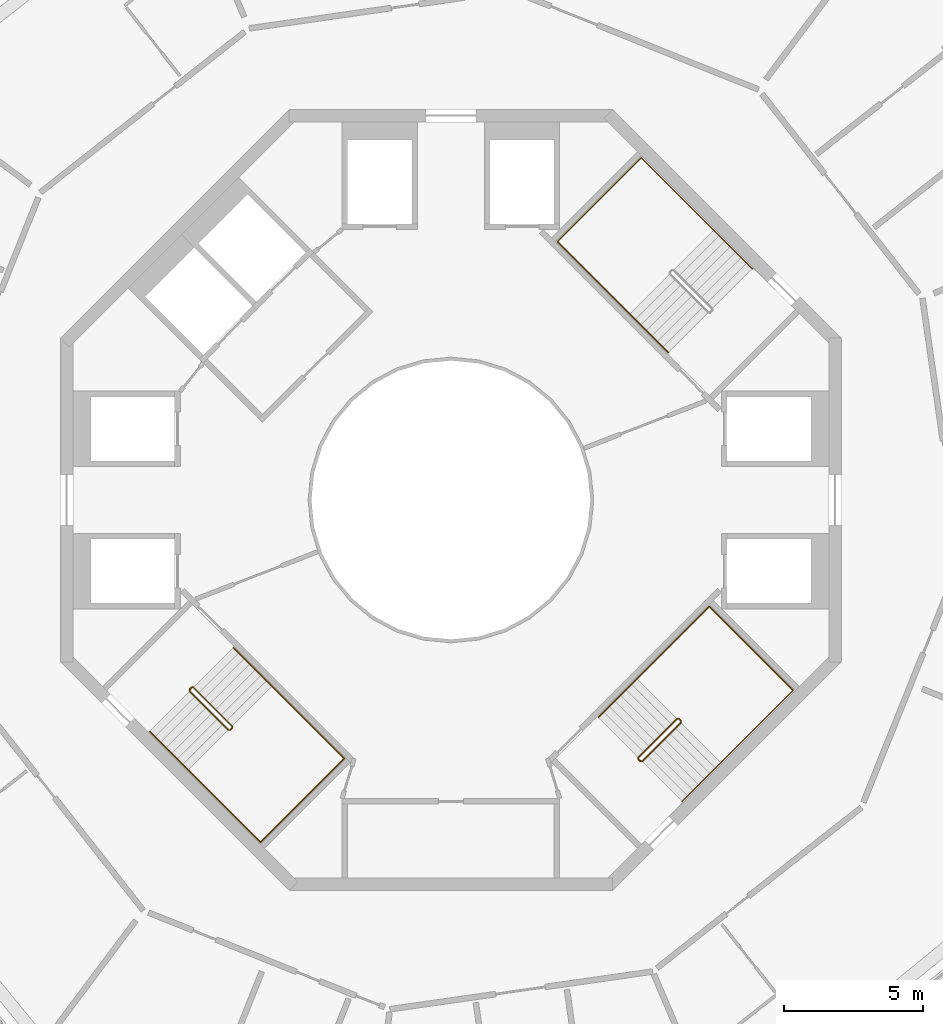
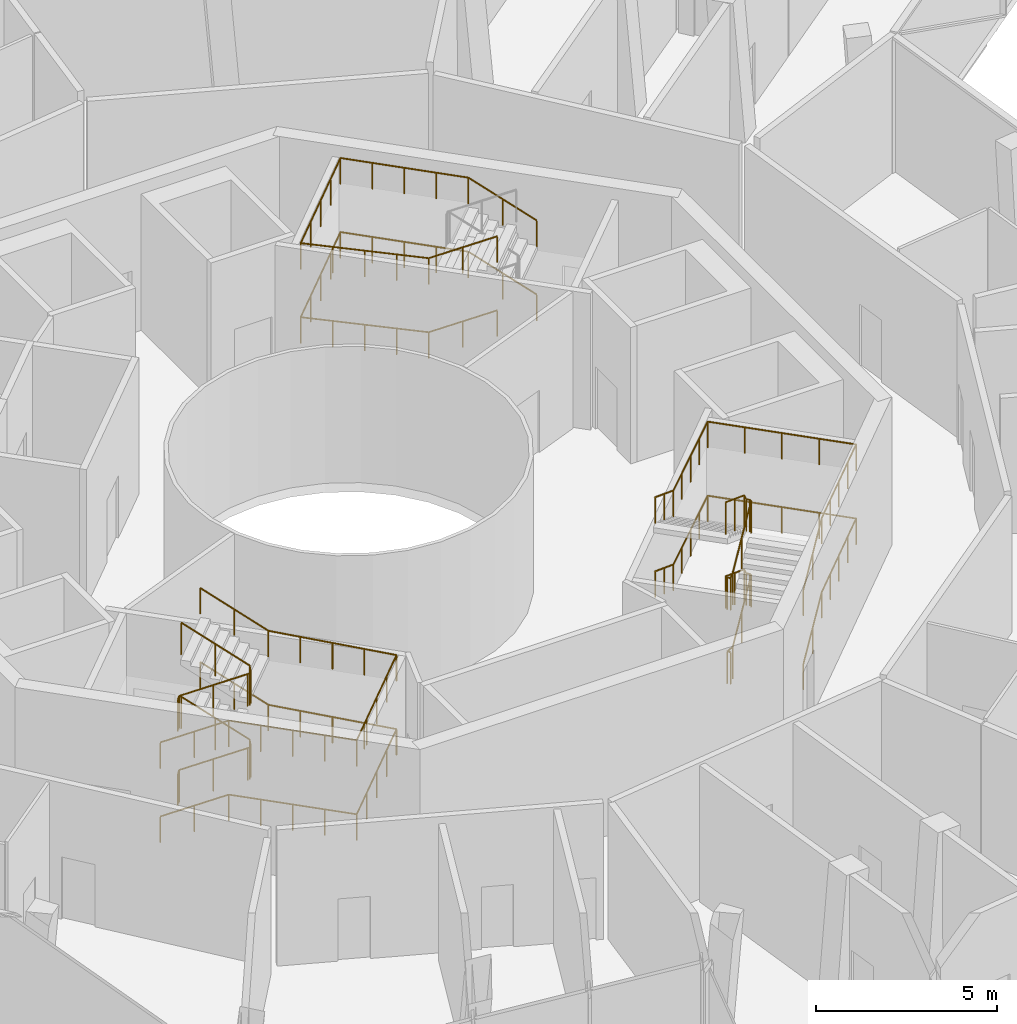
# One storey, part 18 of 19: 8 railings.
"""IFC4 building model written with IfcOpenShell, lengths in metres."""

from ifc_helpers import new_model, si_unit, direction, frame, origin, origin_2d, place, context, subcontext, project, spatial, circle, extrude, material, type_object, element, save


model = new_model("IFC4")

# Units and contexts
model_context = context("Model", 3, precision=1e-05, world=origin(), true_north=direction((0.0, 1.0)))
body_context = subcontext(model_context, "Body", "Model", "MODEL_VIEW")
ifc_project = project(units=[si_unit("LENGTHUNIT", "METRE"), si_unit("AREAUNIT", "SQUARE_METRE"), si_unit("VOLUMEUNIT", "CUBIC_METRE"), si_unit("PLANEANGLEUNIT", "RADIAN"), si_unit("MASSUNIT", "GRAM", prefix="KILO")], contexts=[model_context])

# Site, building, storey
site_placement = place(None, origin())
site = spatial("IfcSite", under=ifc_project, at=site_placement, CompositionType="ELEMENT")
building_placement = place(site_placement, origin())
building = spatial("IfcBuilding", under=site, at=building_placement, Name="Verdalira Terraces Hotel", CompositionType="ELEMENT")
storey_placement = place(building_placement, frame((0.0, 0.0, 310.0)))
storey = spatial("IfcBuildingStorey", under=building, at=storey_placement, Name="L77", CompositionType="ELEMENT", Elevation=310.0)

# Railings
ifc_material_1 = material(Name="Stainless steel", Category="steel")
railing_type_1 = type_object("IfcRailingType", Name="Stair guard 1100", PredefinedType="GUARDRAIL", material=ifc_material_1)
railing_1_placement = place(storey_placement, frame((-9.369141, -6.78833, 0.0)))
element("IfcRailing", 1, at=railing_1_placement, inside=storey, type_object=railing_type_1, Name="L77 ST2 stair guard 1", PredefinedType="GUARDRAIL", context=body_context, shape_type="SweptSolid", body=[
    extrude(circle(Radius=0.023926, at=origin_2d()), frame((0.0, 0.0, 1.076172), z_axis=(0.707106781, 0.707106781, 0.0), x_axis=(-0.707106781, 0.707106781, 0.0)), (0.0, 0.0, 1.0), 0.100098),
    extrude(circle(Radius=0.023926, at=origin_2d()), frame((0.070801, 0.070801, 1.076172), z_axis=(-0.318519619, -0.635940894, 0.702939849), x_axis=(0.894118129, -0.447831187, 0.0)), (0.0, 0.0, 1.0), 0.222168),
    extrude(circle(Radius=0.023926, at=origin_2d()), frame((0.0, -0.070557, 1.232422), z_axis=(0.61747733, -0.61747733, 0.48728174), x_axis=(0.707106781, 0.707106781, 0.0)), (0.0, 0.0, 1.0), 2.244629),
    extrude(circle(Radius=0.023926, at=origin_2d()), frame((1.385986, -1.456543, 2.326172), z_axis=(1.0, 0.0, 0.0), x_axis=(0.0, 1.0, 0.0)), (0.0, 0.0, 1.0), 0.070557),
    extrude(circle(Radius=0.023926, at=origin_2d()), frame((1.456543, -1.456543, 2.326172), z_axis=(0.707106781, 0.707106781, 0.0), x_axis=(-0.707106781, 0.707106781, 0.0)), (0.0, 0.0, 1.0), 0.100098),
    extrude(circle(Radius=0.023926, at=origin_2d()), frame((1.527344, -1.385742, 2.326172), z_axis=(0.0, 0.411548567, 0.91138783), x_axis=(-1.0, 0.0, 0.0)), (0.0, 0.0, 1.0), 0.171387),
    extrude(circle(Radius=0.023926, at=origin_2d()), frame((1.527344, -1.315186, 2.482422), z_axis=(-0.61747733, 0.61747733, 0.48728174), x_axis=(-0.707106781, -0.707106781, 0.0)), (0.0, 0.0, 1.0), 2.244629),
    extrude(circle(Radius=0.023926, at=origin_2d()), frame((0.141357, 0.070801, 3.576172), z_axis=(-1.0, 0.0, 0.0), x_axis=(0.0, -1.0, 0.0)), (0.0, 0.0, 1.0), 0.070557),
    extrude(circle(Radius=0.023926, at=origin_2d()), frame((0.070801, 0.070801, 3.576172), z_axis=(-0.707106781, -0.707106781, 0.0), x_axis=(0.707106781, -0.707106781, 0.0)), (0.0, 0.0, 1.0), 0.100098),
    extrude(circle(Radius=0.023926, at=origin_2d()), frame((0.0, 0.0, 3.576172), z_axis=(0.0, -0.411548567, 0.91138783), x_axis=(1.0, 0.0, 0.0)), (0.0, 0.0, 1.0), 0.171387),
    extrude(circle(Radius=0.023926, at=origin_2d()), frame((0.0, -0.070557, 3.732422), z_axis=(0.61747733, -0.61747733, 0.48728174), x_axis=(0.707106781, 0.707106781, 0.0)), (0.0, 0.0, 1.0), 2.244629),
    extrude(circle(Radius=0.023926, at=origin_2d()), frame((1.385986, -1.456543, 4.826172), z_axis=(1.0, 0.0, 0.0), x_axis=(0.0, 1.0, 0.0)), (0.0, 0.0, 1.0), 0.070557),
    extrude(circle(Radius=0.023926, at=origin_2d()), frame((1.456543, -1.456543, 4.826172), z_axis=(0.707106781, 0.707106781, 0.0), x_axis=(-0.707106781, 0.707106781, 0.0)), (0.0, 0.0, 1.0), 0.100098),
    extrude(circle(Radius=0.023926, at=origin_2d()), frame((1.527344, -1.385742, 4.826172), z_axis=(0.0, 0.411548567, 0.91138783), x_axis=(-1.0, 0.0, 0.0)), (0.0, 0.0, 1.0), 0.171387),
    extrude(circle(Radius=0.023926, at=origin_2d()), frame((1.527344, -1.315186, 4.982422), z_axis=(-0.61747733, 0.61747733, 0.48728174), x_axis=(-0.707106781, -0.707106781, 0.0)), (0.0, 0.0, 1.0), 2.244629),
    extrude(circle(Radius=0.020996, at=origin_2d()), origin(), (0.0, 0.0, 1.0), 1.052002),
    extrude(circle(Radius=0.020996, at=origin_2d()), frame((0.070801, 0.070801, 0.0)), (0.0, 0.0, 1.0), 1.052002),
    extrude(circle(Radius=0.020996, at=origin_2d()), frame((0.0, -0.070557, 0.15625)), (0.0, 0.0, 1.0), 1.052002),
    extrude(circle(Radius=0.020996, at=origin_2d()), frame((0.692871, -0.763672, 0.703125)), (0.0, 0.0, 1.0), 1.052002),
    extrude(circle(Radius=0.020996, at=origin_2d()), frame((1.385986, -1.456543, 1.25)), (0.0, 0.0, 1.0), 1.052002),
    extrude(circle(Radius=0.020996, at=origin_2d()), frame((1.456543, -1.456543, 1.25)), (0.0, 0.0, 1.0), 1.052002),
    extrude(circle(Radius=0.020996, at=origin_2d()), frame((1.527344, -1.385742, 1.25)), (0.0, 0.0, 1.0), 1.052002),
    extrude(circle(Radius=0.020996, at=origin_2d()), frame((1.527344, -1.315186, 1.40625)), (0.0, 0.0, 1.0), 1.052002),
    extrude(circle(Radius=0.020996, at=origin_2d()), frame((0.834473, -0.62207, 1.953125)), (0.0, 0.0, 1.0), 1.052002),
    extrude(circle(Radius=0.020996, at=origin_2d()), frame((0.141357, 0.070801, 2.5)), (0.0, 0.0, 1.0), 1.052002),
    extrude(circle(Radius=0.020996, at=origin_2d()), frame((0.070801, 0.070801, 2.5)), (0.0, 0.0, 1.0), 1.052002),
    extrude(circle(Radius=0.020996, at=origin_2d()), frame((0.0, 0.0, 2.5)), (0.0, 0.0, 1.0), 1.052002),
    extrude(circle(Radius=0.020996, at=origin_2d()), frame((0.0, -0.070557, 2.65625)), (0.0, 0.0, 1.0), 1.052002),
    extrude(circle(Radius=0.020996, at=origin_2d()), frame((0.692871, -0.763672, 3.203125)), (0.0, 0.0, 1.0), 1.052002),
    extrude(circle(Radius=0.020996, at=origin_2d()), frame((1.385986, -1.456543, 3.75)), (0.0, 0.0, 1.0), 1.052002),
    extrude(circle(Radius=0.020996, at=origin_2d()), frame((1.456543, -1.456543, 3.75)), (0.0, 0.0, 1.0), 1.052002),
    extrude(circle(Radius=0.020996, at=origin_2d()), frame((1.527344, -1.385742, 3.75)), (0.0, 0.0, 1.0), 1.052002),
    extrude(circle(Radius=0.020996, at=origin_2d()), frame((1.527344, -1.315186, 3.90625)), (0.0, 0.0, 1.0), 1.052002),
    extrude(circle(Radius=0.020996, at=origin_2d()), frame((0.834473, -0.62207, 4.453125)), (0.0, 0.0, 1.0), 1.052002),
    extrude(circle(Radius=0.020996, at=origin_2d()), frame((0.141357, 0.070801, 5.0)), (0.0, 0.0, 1.0), 1.052002),
])
railing_2_placement = place(storey_placement, frame((6.78833, -9.369141, 0.0)))
element("IfcRailing", 2, at=railing_2_placement, inside=storey, type_object=railing_type_1, Name="L77 ST3 stair guard 1", PredefinedType="GUARDRAIL", context=body_context, shape_type="SweptSolid", body=[
    extrude(circle(Radius=0.023926, at=origin_2d()), frame((0.0, 0.0, 1.076172), z_axis=(-0.707106781, 0.707106781, 0.0), x_axis=(-0.707106781, -0.707106781, 0.0)), (0.0, 0.0, 1.0), 0.100098),
    extrude(circle(Radius=0.023926, at=origin_2d()), frame((-0.070801, 0.070801, 1.076172), z_axis=(0.635940894, -0.318519619, 0.702939849), x_axis=(0.447831187, 0.894118129, 0.0)), (0.0, 0.0, 1.0), 0.222168),
    extrude(circle(Radius=0.023926, at=origin_2d()), frame((0.070557, 0.0, 1.232422), z_axis=(0.61747733, 0.61747733, 0.48728174), x_axis=(-0.707106781, 0.707106781, 0.0)), (0.0, 0.0, 1.0), 2.244629),
    extrude(circle(Radius=0.023926, at=origin_2d()), frame((1.456543, 1.385986, 2.326172), z_axis=(0.0, 1.0, 0.0), x_axis=(-1.0, 0.0, 0.0)), (0.0, 0.0, 1.0), 0.070557),
    extrude(circle(Radius=0.023926, at=origin_2d()), frame((1.456543, 1.456543, 2.326172), z_axis=(-0.707106781, 0.707106781, 0.0), x_axis=(-0.707106781, -0.707106781, 0.0)), (0.0, 0.0, 1.0), 0.100098),
    extrude(circle(Radius=0.023926, at=origin_2d()), frame((1.385742, 1.527344, 2.326172), z_axis=(-0.411548567, 0.0, 0.91138783), x_axis=(0.0, -1.0, 0.0)), (0.0, 0.0, 1.0), 0.171387),
    extrude(circle(Radius=0.023926, at=origin_2d()), frame((1.315186, 1.527344, 2.482422), z_axis=(-0.61747733, -0.61747733, 0.48728174), x_axis=(0.707106781, -0.707106781, 0.0)), (0.0, 0.0, 1.0), 2.244629),
    extrude(circle(Radius=0.023926, at=origin_2d()), frame((-0.070801, 0.141357, 3.576172), z_axis=(0.0, -1.0, 0.0), x_axis=(1.0, 0.0, 0.0)), (0.0, 0.0, 1.0), 0.070557),
    extrude(circle(Radius=0.023926, at=origin_2d()), frame((-0.070801, 0.070801, 3.576172), z_axis=(0.707106781, -0.707106781, 0.0), x_axis=(0.707106781, 0.707106781, 0.0)), (0.0, 0.0, 1.0), 0.100098),
    extrude(circle(Radius=0.023926, at=origin_2d()), frame((0.0, 0.0, 3.576172), z_axis=(0.411548567, 0.0, 0.91138783), x_axis=(0.0, 1.0, 0.0)), (0.0, 0.0, 1.0), 0.171387),
    extrude(circle(Radius=0.023926, at=origin_2d()), frame((0.070557, 0.0, 3.732422), z_axis=(0.61747733, 0.61747733, 0.48728174), x_axis=(-0.707106781, 0.707106781, 0.0)), (0.0, 0.0, 1.0), 2.244629),
    extrude(circle(Radius=0.023926, at=origin_2d()), frame((1.456543, 1.385986, 4.826172), z_axis=(0.0, 1.0, 0.0), x_axis=(-1.0, 0.0, 0.0)), (0.0, 0.0, 1.0), 0.070557),
    extrude(circle(Radius=0.023926, at=origin_2d()), frame((1.456543, 1.456543, 4.826172), z_axis=(-0.707106781, 0.707106781, 0.0), x_axis=(-0.707106781, -0.707106781, 0.0)), (0.0, 0.0, 1.0), 0.100098),
    extrude(circle(Radius=0.023926, at=origin_2d()), frame((1.385742, 1.527344, 4.826172), z_axis=(-0.411548567, 0.0, 0.91138783), x_axis=(0.0, -1.0, 0.0)), (0.0, 0.0, 1.0), 0.171387),
    extrude(circle(Radius=0.023926, at=origin_2d()), frame((1.315186, 1.527344, 4.982422), z_axis=(-0.61747733, -0.61747733, 0.48728174), x_axis=(0.707106781, -0.707106781, 0.0)), (0.0, 0.0, 1.0), 2.244629),
    extrude(circle(Radius=0.020996, at=origin_2d()), origin(), (0.0, 0.0, 1.0), 1.052002),
    extrude(circle(Radius=0.020996, at=origin_2d()), frame((-0.070801, 0.070801, 0.0)), (0.0, 0.0, 1.0), 1.052002),
    extrude(circle(Radius=0.020996, at=origin_2d()), frame((0.070557, 0.0, 0.15625)), (0.0, 0.0, 1.0), 1.052002),
    extrude(circle(Radius=0.020996, at=origin_2d()), frame((0.763672, 0.692871, 0.703125)), (0.0, 0.0, 1.0), 1.052002),
    extrude(circle(Radius=0.020996, at=origin_2d()), frame((1.456543, 1.385986, 1.25)), (0.0, 0.0, 1.0), 1.052002),
    extrude(circle(Radius=0.020996, at=origin_2d()), frame((1.456543, 1.456543, 1.25)), (0.0, 0.0, 1.0), 1.052002),
    extrude(circle(Radius=0.020996, at=origin_2d()), frame((1.385742, 1.527344, 1.25)), (0.0, 0.0, 1.0), 1.052002),
    extrude(circle(Radius=0.020996, at=origin_2d()), frame((1.315186, 1.527344, 1.40625)), (0.0, 0.0, 1.0), 1.052002),
    extrude(circle(Radius=0.020996, at=origin_2d()), frame((0.62207, 0.834473, 1.953125)), (0.0, 0.0, 1.0), 1.052002),
    extrude(circle(Radius=0.020996, at=origin_2d()), frame((-0.070801, 0.141357, 2.5)), (0.0, 0.0, 1.0), 1.052002),
    extrude(circle(Radius=0.020996, at=origin_2d()), frame((-0.070801, 0.070801, 2.5)), (0.0, 0.0, 1.0), 1.052002),
    extrude(circle(Radius=0.020996, at=origin_2d()), frame((0.0, 0.0, 2.5)), (0.0, 0.0, 1.0), 1.052002),
    extrude(circle(Radius=0.020996, at=origin_2d()), frame((0.070557, 0.0, 2.65625)), (0.0, 0.0, 1.0), 1.052002),
    extrude(circle(Radius=0.020996, at=origin_2d()), frame((0.763672, 0.692871, 3.203125)), (0.0, 0.0, 1.0), 1.052002),
    extrude(circle(Radius=0.020996, at=origin_2d()), frame((1.456543, 1.385986, 3.75)), (0.0, 0.0, 1.0), 1.052002),
    extrude(circle(Radius=0.020996, at=origin_2d()), frame((1.456543, 1.456543, 3.75)), (0.0, 0.0, 1.0), 1.052002),
    extrude(circle(Radius=0.020996, at=origin_2d()), frame((1.385742, 1.527344, 3.75)), (0.0, 0.0, 1.0), 1.052002),
    extrude(circle(Radius=0.020996, at=origin_2d()), frame((1.315186, 1.527344, 3.90625)), (0.0, 0.0, 1.0), 1.052002),
    extrude(circle(Radius=0.020996, at=origin_2d()), frame((0.62207, 0.834473, 4.453125)), (0.0, 0.0, 1.0), 1.052002),
    extrude(circle(Radius=0.020996, at=origin_2d()), frame((-0.070801, 0.141357, 5.0)), (0.0, 0.0, 1.0), 1.052002),
])
ifc_material_2 = material(Name="Stainless steel", Category="steel")
railing_type_2 = type_object("IfcRailingType", Name="Stair handrail 900", PredefinedType="HANDRAIL", material=ifc_material_2)
railing_3_placement = place(storey_placement, frame((10.801025, 8.290771, 0.15625)))
element("IfcRailing", 3, at=railing_3_placement, inside=storey, type_object=railing_type_2, Name="L77 ST1 stair handrail 1", PredefinedType="HANDRAIL", context=body_context, shape_type="SweptSolid", body=[
    extrude(circle(Radius=0.023926, at=origin_2d()), frame((0.0, 0.0, 0.875977), z_axis=(-0.61747733, 0.61747733, 0.48728174), x_axis=(-0.707106781, -0.707106781, 0.0)), (0.0, 0.0, 1.0), 2.244629),
    extrude(circle(Radius=0.023926, at=origin_2d()), frame((-1.385986, 1.385986, 1.969727), z_axis=(-0.707106781, 0.707106781, 0.0), x_axis=(-0.707106781, -0.707106781, 0.0)), (0.0, 0.0, 1.0), 3.665039),
    extrude(circle(Radius=0.023926, at=origin_2d()), frame((-3.977539, 3.977539, 1.969727), z_axis=(-0.707106781, -0.707106781, 0.0), x_axis=(0.707106781, -0.707106781, 0.0)), (0.0, 0.0, 1.0), 4.25),
    extrude(circle(Radius=0.023926, at=origin_2d()), frame((-6.982666, 0.972412, 1.969727), z_axis=(0.70646505, -0.70646505, 0.042594219), x_axis=(0.707106781, 0.707106781, 0.0)), (0.0, 0.0, 1.0), 3.668457),
    extrude(circle(Radius=0.023926, at=origin_2d()), frame((-4.391113, -1.619141, 2.125977), z_axis=(0.61747733, -0.61747733, 0.48728174), x_axis=(0.707106781, 0.707106781, 0.0)), (0.0, 0.0, 1.0), 2.244629),
    extrude(circle(Radius=0.020996, at=origin_2d()), origin(), (0.0, 0.0, 1.0), 0.851807),
    extrude(circle(Radius=0.020996, at=origin_2d()), frame((-0.692871, 0.692871, 0.546875)), (0.0, 0.0, 1.0), 0.851807),
    extrude(circle(Radius=0.020996, at=origin_2d()), frame((-1.385986, 1.385986, 1.09375)), (0.0, 0.0, 1.0), 0.851807),
    extrude(circle(Radius=0.020996, at=origin_2d()), frame((-2.033936, 2.033936, 1.09375)), (0.0, 0.0, 1.0), 0.851807),
    extrude(circle(Radius=0.020996, at=origin_2d()), frame((-2.681641, 2.681641, 1.09375)), (0.0, 0.0, 1.0), 0.851807),
    extrude(circle(Radius=0.020996, at=origin_2d()), frame((-3.32959, 3.32959, 1.09375)), (0.0, 0.0, 1.0), 0.851807),
    extrude(circle(Radius=0.020996, at=origin_2d()), frame((-3.977539, 3.977539, 1.09375)), (0.0, 0.0, 1.0), 0.851807),
    extrude(circle(Radius=0.020996, at=origin_2d()), frame((-4.72876, 3.226318, 1.09375)), (0.0, 0.0, 1.0), 0.851807),
    extrude(circle(Radius=0.020996, at=origin_2d()), frame((-5.47998, 2.475098, 1.09375)), (0.0, 0.0, 1.0), 0.851807),
    extrude(circle(Radius=0.020996, at=origin_2d()), frame((-6.231445, 1.723633, 1.09375)), (0.0, 0.0, 1.0), 0.851807),
    extrude(circle(Radius=0.020996, at=origin_2d()), frame((-6.982666, 0.972412, 1.09375)), (0.0, 0.0, 1.0), 0.851807),
    extrude(circle(Radius=0.020996, at=origin_2d()), frame((-6.334717, 0.324463, 1.132812)), (0.0, 0.0, 1.0), 0.851807),
    extrude(circle(Radius=0.020996, at=origin_2d()), frame((-5.687012, -0.323242, 1.171875)), (0.0, 0.0, 1.0), 0.851807),
    extrude(circle(Radius=0.020996, at=origin_2d()), frame((-5.039062, -0.971191, 1.210938)), (0.0, 0.0, 1.0), 0.851807),
    extrude(circle(Radius=0.020996, at=origin_2d()), frame((-4.391113, -1.619141, 1.25)), (0.0, 0.0, 1.0), 0.851807),
    extrude(circle(Radius=0.020996, at=origin_2d()), frame((-3.698242, -2.312012, 1.796875)), (0.0, 0.0, 1.0), 0.851807),
    extrude(circle(Radius=0.020996, at=origin_2d()), frame((-3.005127, -3.005127, 2.34375)), (0.0, 0.0, 1.0), 0.851807),
])
railing_4_placement = place(storey_placement, frame((10.801025, 8.290771, 2.65625)))
element("IfcRailing", 4, at=railing_4_placement, inside=storey, type_object=railing_type_2, Name="L77 ST1 stair handrail 2", PredefinedType="HANDRAIL", context=body_context, shape_type="SweptSolid", body=[
    extrude(circle(Radius=0.023926, at=origin_2d()), frame((0.0, 0.0, 0.875977), z_axis=(-0.61747733, 0.61747733, 0.48728174), x_axis=(-0.707106781, -0.707106781, 0.0)), (0.0, 0.0, 1.0), 2.244629),
    extrude(circle(Radius=0.023926, at=origin_2d()), frame((-1.385986, 1.385986, 1.969727), z_axis=(-0.707106781, 0.707106781, 0.0), x_axis=(-0.707106781, -0.707106781, 0.0)), (0.0, 0.0, 1.0), 3.665039),
    extrude(circle(Radius=0.023926, at=origin_2d()), frame((-3.977539, 3.977539, 1.969727), z_axis=(-0.707106781, -0.707106781, 0.0), x_axis=(0.707106781, -0.707106781, 0.0)), (0.0, 0.0, 1.0), 4.25),
    extrude(circle(Radius=0.023926, at=origin_2d()), frame((-6.982666, 0.972412, 1.969727), z_axis=(0.70646505, -0.70646505, 0.042594219), x_axis=(0.707106781, 0.707106781, 0.0)), (0.0, 0.0, 1.0), 3.668457),
    extrude(circle(Radius=0.023926, at=origin_2d()), frame((-4.391113, -1.619141, 2.125977), z_axis=(0.61747733, -0.61747733, 0.48728174), x_axis=(0.707106781, 0.707106781, 0.0)), (0.0, 0.0, 1.0), 2.244629),
    extrude(circle(Radius=0.020996, at=origin_2d()), origin(), (0.0, 0.0, 1.0), 0.851807),
    extrude(circle(Radius=0.020996, at=origin_2d()), frame((-0.692871, 0.692871, 0.546875)), (0.0, 0.0, 1.0), 0.851807),
    extrude(circle(Radius=0.020996, at=origin_2d()), frame((-1.385986, 1.385986, 1.09375)), (0.0, 0.0, 1.0), 0.851807),
    extrude(circle(Radius=0.020996, at=origin_2d()), frame((-2.033936, 2.033936, 1.09375)), (0.0, 0.0, 1.0), 0.851807),
    extrude(circle(Radius=0.020996, at=origin_2d()), frame((-2.681641, 2.681641, 1.09375)), (0.0, 0.0, 1.0), 0.851807),
    extrude(circle(Radius=0.020996, at=origin_2d()), frame((-3.32959, 3.32959, 1.09375)), (0.0, 0.0, 1.0), 0.851807),
    extrude(circle(Radius=0.020996, at=origin_2d()), frame((-3.977539, 3.977539, 1.09375)), (0.0, 0.0, 1.0), 0.851807),
    extrude(circle(Radius=0.020996, at=origin_2d()), frame((-4.72876, 3.226318, 1.09375)), (0.0, 0.0, 1.0), 0.851807),
    extrude(circle(Radius=0.020996, at=origin_2d()), frame((-5.47998, 2.475098, 1.09375)), (0.0, 0.0, 1.0), 0.851807),
    extrude(circle(Radius=0.020996, at=origin_2d()), frame((-6.231445, 1.723633, 1.09375)), (0.0, 0.0, 1.0), 0.851807),
    extrude(circle(Radius=0.020996, at=origin_2d()), frame((-6.982666, 0.972412, 1.09375)), (0.0, 0.0, 1.0), 0.851807),
    extrude(circle(Radius=0.020996, at=origin_2d()), frame((-6.334717, 0.324463, 1.132812)), (0.0, 0.0, 1.0), 0.851807),
    extrude(circle(Radius=0.020996, at=origin_2d()), frame((-5.687012, -0.323242, 1.171875)), (0.0, 0.0, 1.0), 0.851807),
    extrude(circle(Radius=0.020996, at=origin_2d()), frame((-5.039062, -0.971191, 1.210938)), (0.0, 0.0, 1.0), 0.851807),
    extrude(circle(Radius=0.020996, at=origin_2d()), frame((-4.391113, -1.619141, 1.25)), (0.0, 0.0, 1.0), 0.851807),
    extrude(circle(Radius=0.020996, at=origin_2d()), frame((-3.698242, -2.312012, 1.796875)), (0.0, 0.0, 1.0), 0.851807),
    extrude(circle(Radius=0.020996, at=origin_2d()), frame((-3.005127, -3.005127, 2.34375)), (0.0, 0.0, 1.0), 0.851807),
])
railing_5_placement = place(storey_placement, frame((-10.801025, -8.290771, 0.15625)))
element("IfcRailing", 5, at=railing_5_placement, inside=storey, type_object=railing_type_2, Name="L77 ST2 stair handrail 1", PredefinedType="HANDRAIL", context=body_context, shape_type="SweptSolid", body=[
    extrude(circle(Radius=0.023926, at=origin_2d()), frame((0.0, 0.0, 0.875977), z_axis=(0.61747733, -0.61747733, 0.48728174), x_axis=(0.707106781, 0.707106781, 0.0)), (0.0, 0.0, 1.0), 2.244629),
    extrude(circle(Radius=0.023926, at=origin_2d()), frame((1.385986, -1.385986, 1.969727), z_axis=(0.707106781, -0.707106781, 0.0), x_axis=(0.707106781, 0.707106781, 0.0)), (0.0, 0.0, 1.0), 3.665039),
    extrude(circle(Radius=0.023926, at=origin_2d()), frame((3.977539, -3.977539, 1.969727), z_axis=(0.707106781, 0.707106781, 0.0), x_axis=(-0.707106781, 0.707106781, 0.0)), (0.0, 0.0, 1.0), 4.25),
    extrude(circle(Radius=0.023926, at=origin_2d()), frame((6.982666, -0.972412, 1.969727), z_axis=(-0.70646505, 0.70646505, 0.042594219), x_axis=(-0.707106781, -0.707106781, 0.0)), (0.0, 0.0, 1.0), 3.668457),
    extrude(circle(Radius=0.023926, at=origin_2d()), frame((4.391113, 1.619141, 2.125977), z_axis=(-0.61747733, 0.61747733, 0.48728174), x_axis=(-0.707106781, -0.707106781, 0.0)), (0.0, 0.0, 1.0), 2.244629),
    extrude(circle(Radius=0.020996, at=origin_2d()), origin(), (0.0, 0.0, 1.0), 0.851807),
    extrude(circle(Radius=0.020996, at=origin_2d()), frame((0.692871, -0.692871, 0.546875)), (0.0, 0.0, 1.0), 0.851807),
    extrude(circle(Radius=0.020996, at=origin_2d()), frame((1.385986, -1.385986, 1.09375)), (0.0, 0.0, 1.0), 0.851807),
    extrude(circle(Radius=0.020996, at=origin_2d()), frame((2.033936, -2.033936, 1.09375)), (0.0, 0.0, 1.0), 0.851807),
    extrude(circle(Radius=0.020996, at=origin_2d()), frame((2.681641, -2.681641, 1.09375)), (0.0, 0.0, 1.0), 0.851807),
    extrude(circle(Radius=0.020996, at=origin_2d()), frame((3.32959, -3.32959, 1.09375)), (0.0, 0.0, 1.0), 0.851807),
    extrude(circle(Radius=0.020996, at=origin_2d()), frame((3.977539, -3.977539, 1.09375)), (0.0, 0.0, 1.0), 0.851807),
    extrude(circle(Radius=0.020996, at=origin_2d()), frame((4.72876, -3.226318, 1.09375)), (0.0, 0.0, 1.0), 0.851807),
    extrude(circle(Radius=0.020996, at=origin_2d()), frame((5.47998, -2.475098, 1.09375)), (0.0, 0.0, 1.0), 0.851807),
    extrude(circle(Radius=0.020996, at=origin_2d()), frame((6.231445, -1.723633, 1.09375)), (0.0, 0.0, 1.0), 0.851807),
    extrude(circle(Radius=0.020996, at=origin_2d()), frame((6.982666, -0.972412, 1.09375)), (0.0, 0.0, 1.0), 0.851807),
    extrude(circle(Radius=0.020996, at=origin_2d()), frame((6.334717, -0.324463, 1.132812)), (0.0, 0.0, 1.0), 0.851807),
    extrude(circle(Radius=0.020996, at=origin_2d()), frame((5.687012, 0.323242, 1.171875)), (0.0, 0.0, 1.0), 0.851807),
    extrude(circle(Radius=0.020996, at=origin_2d()), frame((5.039062, 0.971191, 1.210938)), (0.0, 0.0, 1.0), 0.851807),
    extrude(circle(Radius=0.020996, at=origin_2d()), frame((4.391113, 1.619141, 1.25)), (0.0, 0.0, 1.0), 0.851807),
    extrude(circle(Radius=0.020996, at=origin_2d()), frame((3.698242, 2.312012, 1.796875)), (0.0, 0.0, 1.0), 0.851807),
    extrude(circle(Radius=0.020996, at=origin_2d()), frame((3.005127, 3.005127, 2.34375)), (0.0, 0.0, 1.0), 0.851807),
])
railing_6_placement = place(storey_placement, frame((-10.801025, -8.290771, 2.65625)))
element("IfcRailing", 6, at=railing_6_placement, inside=storey, type_object=railing_type_2, Name="L77 ST2 stair handrail 2", PredefinedType="HANDRAIL", context=body_context, shape_type="SweptSolid", body=[
    extrude(circle(Radius=0.023926, at=origin_2d()), frame((0.0, 0.0, 0.875977), z_axis=(0.61747733, -0.61747733, 0.48728174), x_axis=(0.707106781, 0.707106781, 0.0)), (0.0, 0.0, 1.0), 2.244629),
    extrude(circle(Radius=0.023926, at=origin_2d()), frame((1.385986, -1.385986, 1.969727), z_axis=(0.707106781, -0.707106781, 0.0), x_axis=(0.707106781, 0.707106781, 0.0)), (0.0, 0.0, 1.0), 3.665039),
    extrude(circle(Radius=0.023926, at=origin_2d()), frame((3.977539, -3.977539, 1.969727), z_axis=(0.707106781, 0.707106781, 0.0), x_axis=(-0.707106781, 0.707106781, 0.0)), (0.0, 0.0, 1.0), 4.25),
    extrude(circle(Radius=0.023926, at=origin_2d()), frame((6.982666, -0.972412, 1.969727), z_axis=(-0.70646505, 0.70646505, 0.042594219), x_axis=(-0.707106781, -0.707106781, 0.0)), (0.0, 0.0, 1.0), 3.668457),
    extrude(circle(Radius=0.023926, at=origin_2d()), frame((4.391113, 1.619141, 2.125977), z_axis=(-0.61747733, 0.61747733, 0.48728174), x_axis=(-0.707106781, -0.707106781, 0.0)), (0.0, 0.0, 1.0), 2.244629),
    extrude(circle(Radius=0.020996, at=origin_2d()), origin(), (0.0, 0.0, 1.0), 0.851807),
    extrude(circle(Radius=0.020996, at=origin_2d()), frame((0.692871, -0.692871, 0.546875)), (0.0, 0.0, 1.0), 0.851807),
    extrude(circle(Radius=0.020996, at=origin_2d()), frame((1.385986, -1.385986, 1.09375)), (0.0, 0.0, 1.0), 0.851807),
    extrude(circle(Radius=0.020996, at=origin_2d()), frame((2.033936, -2.033936, 1.09375)), (0.0, 0.0, 1.0), 0.851807),
    extrude(circle(Radius=0.020996, at=origin_2d()), frame((2.681641, -2.681641, 1.09375)), (0.0, 0.0, 1.0), 0.851807),
    extrude(circle(Radius=0.020996, at=origin_2d()), frame((3.32959, -3.32959, 1.09375)), (0.0, 0.0, 1.0), 0.851807),
    extrude(circle(Radius=0.020996, at=origin_2d()), frame((3.977539, -3.977539, 1.09375)), (0.0, 0.0, 1.0), 0.851807),
    extrude(circle(Radius=0.020996, at=origin_2d()), frame((4.72876, -3.226318, 1.09375)), (0.0, 0.0, 1.0), 0.851807),
    extrude(circle(Radius=0.020996, at=origin_2d()), frame((5.47998, -2.475098, 1.09375)), (0.0, 0.0, 1.0), 0.851807),
    extrude(circle(Radius=0.020996, at=origin_2d()), frame((6.231445, -1.723633, 1.09375)), (0.0, 0.0, 1.0), 0.851807),
    extrude(circle(Radius=0.020996, at=origin_2d()), frame((6.982666, -0.972412, 1.09375)), (0.0, 0.0, 1.0), 0.851807),
    extrude(circle(Radius=0.020996, at=origin_2d()), frame((6.334717, -0.324463, 1.132812)), (0.0, 0.0, 1.0), 0.851807),
    extrude(circle(Radius=0.020996, at=origin_2d()), frame((5.687012, 0.323242, 1.171875)), (0.0, 0.0, 1.0), 0.851807),
    extrude(circle(Radius=0.020996, at=origin_2d()), frame((5.039062, 0.971191, 1.210938)), (0.0, 0.0, 1.0), 0.851807),
    extrude(circle(Radius=0.020996, at=origin_2d()), frame((4.391113, 1.619141, 1.25)), (0.0, 0.0, 1.0), 0.851807),
    extrude(circle(Radius=0.020996, at=origin_2d()), frame((3.698242, 2.312012, 1.796875)), (0.0, 0.0, 1.0), 0.851807),
    extrude(circle(Radius=0.020996, at=origin_2d()), frame((3.005127, 3.005127, 2.34375)), (0.0, 0.0, 1.0), 0.851807),
])
railing_7_placement = place(storey_placement, frame((8.290771, -10.801025, 0.15625)))
element("IfcRailing", 7, at=railing_7_placement, inside=storey, type_object=railing_type_2, Name="L77 ST3 stair handrail 1", PredefinedType="HANDRAIL", context=body_context, shape_type="SweptSolid", body=[
    extrude(circle(Radius=0.023926, at=origin_2d()), frame((0.0, 0.0, 0.875977), z_axis=(0.61747733, 0.61747733, 0.48728174), x_axis=(-0.707106781, 0.707106781, 0.0)), (0.0, 0.0, 1.0), 2.244629),
    extrude(circle(Radius=0.023926, at=origin_2d()), frame((1.385986, 1.385986, 1.969727), z_axis=(0.707106781, 0.707106781, 0.0), x_axis=(-0.707106781, 0.707106781, 0.0)), (0.0, 0.0, 1.0), 3.665039),
    extrude(circle(Radius=0.023926, at=origin_2d()), frame((3.977539, 3.977539, 1.969727), z_axis=(-0.707106781, 0.707106781, 0.0), x_axis=(-0.707106781, -0.707106781, 0.0)), (0.0, 0.0, 1.0), 4.25),
    extrude(circle(Radius=0.023926, at=origin_2d()), frame((0.972412, 6.982666, 1.969727), z_axis=(-0.70646505, -0.70646505, 0.042594219), x_axis=(0.707106781, -0.707106781, 0.0)), (0.0, 0.0, 1.0), 3.668457),
    extrude(circle(Radius=0.023926, at=origin_2d()), frame((-1.619141, 4.391113, 2.125977), z_axis=(-0.61747733, -0.61747733, 0.48728174), x_axis=(0.707106781, -0.707106781, 0.0)), (0.0, 0.0, 1.0), 2.244629),
    extrude(circle(Radius=0.020996, at=origin_2d()), origin(), (0.0, 0.0, 1.0), 0.851807),
    extrude(circle(Radius=0.020996, at=origin_2d()), frame((0.692871, 0.692871, 0.546875)), (0.0, 0.0, 1.0), 0.851807),
    extrude(circle(Radius=0.020996, at=origin_2d()), frame((1.385986, 1.385986, 1.09375)), (0.0, 0.0, 1.0), 0.851807),
    extrude(circle(Radius=0.020996, at=origin_2d()), frame((2.033936, 2.033936, 1.09375)), (0.0, 0.0, 1.0), 0.851807),
    extrude(circle(Radius=0.020996, at=origin_2d()), frame((2.681641, 2.681641, 1.09375)), (0.0, 0.0, 1.0), 0.851807),
    extrude(circle(Radius=0.020996, at=origin_2d()), frame((3.32959, 3.32959, 1.09375)), (0.0, 0.0, 1.0), 0.851807),
    extrude(circle(Radius=0.020996, at=origin_2d()), frame((3.977539, 3.977539, 1.09375)), (0.0, 0.0, 1.0), 0.851807),
    extrude(circle(Radius=0.020996, at=origin_2d()), frame((3.226318, 4.72876, 1.09375)), (0.0, 0.0, 1.0), 0.851807),
    extrude(circle(Radius=0.020996, at=origin_2d()), frame((2.475098, 5.47998, 1.09375)), (0.0, 0.0, 1.0), 0.851807),
    extrude(circle(Radius=0.020996, at=origin_2d()), frame((1.723633, 6.231445, 1.09375)), (0.0, 0.0, 1.0), 0.851807),
    extrude(circle(Radius=0.020996, at=origin_2d()), frame((0.972412, 6.982666, 1.09375)), (0.0, 0.0, 1.0), 0.851807),
    extrude(circle(Radius=0.020996, at=origin_2d()), frame((0.324463, 6.334717, 1.132812)), (0.0, 0.0, 1.0), 0.851807),
    extrude(circle(Radius=0.020996, at=origin_2d()), frame((-0.323242, 5.687012, 1.171875)), (0.0, 0.0, 1.0), 0.851807),
    extrude(circle(Radius=0.020996, at=origin_2d()), frame((-0.971191, 5.039062, 1.210938)), (0.0, 0.0, 1.0), 0.851807),
    extrude(circle(Radius=0.020996, at=origin_2d()), frame((-1.619141, 4.391113, 1.25)), (0.0, 0.0, 1.0), 0.851807),
    extrude(circle(Radius=0.020996, at=origin_2d()), frame((-2.312012, 3.698242, 1.796875)), (0.0, 0.0, 1.0), 0.851807),
    extrude(circle(Radius=0.020996, at=origin_2d()), frame((-3.005127, 3.005127, 2.34375)), (0.0, 0.0, 1.0), 0.851807),
])
railing_8_placement = place(storey_placement, frame((8.290771, -10.801025, 2.65625)))
element("IfcRailing", 8, at=railing_8_placement, inside=storey, type_object=railing_type_2, Name="L77 ST3 stair handrail 2", PredefinedType="HANDRAIL", context=body_context, shape_type="SweptSolid", body=[
    extrude(circle(Radius=0.023926, at=origin_2d()), frame((0.0, 0.0, 0.875977), z_axis=(0.61747733, 0.61747733, 0.48728174), x_axis=(-0.707106781, 0.707106781, 0.0)), (0.0, 0.0, 1.0), 2.244629),
    extrude(circle(Radius=0.023926, at=origin_2d()), frame((1.385986, 1.385986, 1.969727), z_axis=(0.707106781, 0.707106781, 0.0), x_axis=(-0.707106781, 0.707106781, 0.0)), (0.0, 0.0, 1.0), 3.665039),
    extrude(circle(Radius=0.023926, at=origin_2d()), frame((3.977539, 3.977539, 1.969727), z_axis=(-0.707106781, 0.707106781, 0.0), x_axis=(-0.707106781, -0.707106781, 0.0)), (0.0, 0.0, 1.0), 4.25),
    extrude(circle(Radius=0.023926, at=origin_2d()), frame((0.972412, 6.982666, 1.969727), z_axis=(-0.70646505, -0.70646505, 0.042594219), x_axis=(0.707106781, -0.707106781, 0.0)), (0.0, 0.0, 1.0), 3.668457),
    extrude(circle(Radius=0.023926, at=origin_2d()), frame((-1.619141, 4.391113, 2.125977), z_axis=(-0.61747733, -0.61747733, 0.48728174), x_axis=(0.707106781, -0.707106781, 0.0)), (0.0, 0.0, 1.0), 2.244629),
    extrude(circle(Radius=0.020996, at=origin_2d()), origin(), (0.0, 0.0, 1.0), 0.851807),
    extrude(circle(Radius=0.020996, at=origin_2d()), frame((0.692871, 0.692871, 0.546875)), (0.0, 0.0, 1.0), 0.851807),
    extrude(circle(Radius=0.020996, at=origin_2d()), frame((1.385986, 1.385986, 1.09375)), (0.0, 0.0, 1.0), 0.851807),
    extrude(circle(Radius=0.020996, at=origin_2d()), frame((2.033936, 2.033936, 1.09375)), (0.0, 0.0, 1.0), 0.851807),
    extrude(circle(Radius=0.020996, at=origin_2d()), frame((2.681641, 2.681641, 1.09375)), (0.0, 0.0, 1.0), 0.851807),
    extrude(circle(Radius=0.020996, at=origin_2d()), frame((3.32959, 3.32959, 1.09375)), (0.0, 0.0, 1.0), 0.851807),
    extrude(circle(Radius=0.020996, at=origin_2d()), frame((3.977539, 3.977539, 1.09375)), (0.0, 0.0, 1.0), 0.851807),
    extrude(circle(Radius=0.020996, at=origin_2d()), frame((3.226318, 4.72876, 1.09375)), (0.0, 0.0, 1.0), 0.851807),
    extrude(circle(Radius=0.020996, at=origin_2d()), frame((2.475098, 5.47998, 1.09375)), (0.0, 0.0, 1.0), 0.851807),
    extrude(circle(Radius=0.020996, at=origin_2d()), frame((1.723633, 6.231445, 1.09375)), (0.0, 0.0, 1.0), 0.851807),
    extrude(circle(Radius=0.020996, at=origin_2d()), frame((0.972412, 6.982666, 1.09375)), (0.0, 0.0, 1.0), 0.851807),
    extrude(circle(Radius=0.020996, at=origin_2d()), frame((0.324463, 6.334717, 1.132812)), (0.0, 0.0, 1.0), 0.851807),
    extrude(circle(Radius=0.020996, at=origin_2d()), frame((-0.323242, 5.687012, 1.171875)), (0.0, 0.0, 1.0), 0.851807),
    extrude(circle(Radius=0.020996, at=origin_2d()), frame((-0.971191, 5.039062, 1.210938)), (0.0, 0.0, 1.0), 0.851807),
    extrude(circle(Radius=0.020996, at=origin_2d()), frame((-1.619141, 4.391113, 1.25)), (0.0, 0.0, 1.0), 0.851807),
    extrude(circle(Radius=0.020996, at=origin_2d()), frame((-2.312012, 3.698242, 1.796875)), (0.0, 0.0, 1.0), 0.851807),
    extrude(circle(Radius=0.020996, at=origin_2d()), frame((-3.005127, 3.005127, 2.34375)), (0.0, 0.0, 1.0), 0.851807),
])

save(model, "model.ifc")
